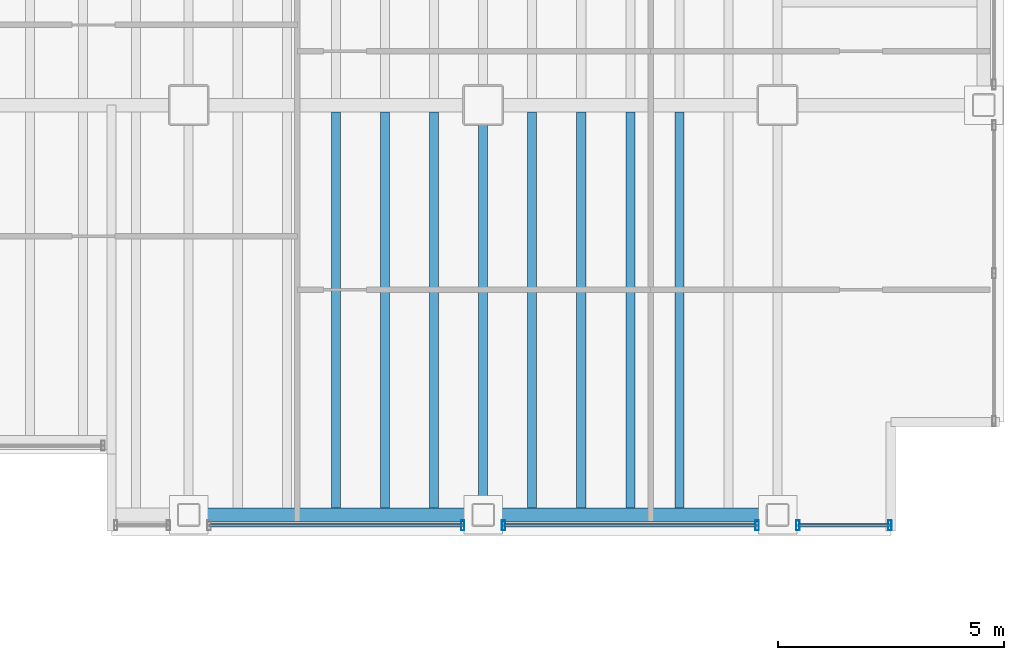
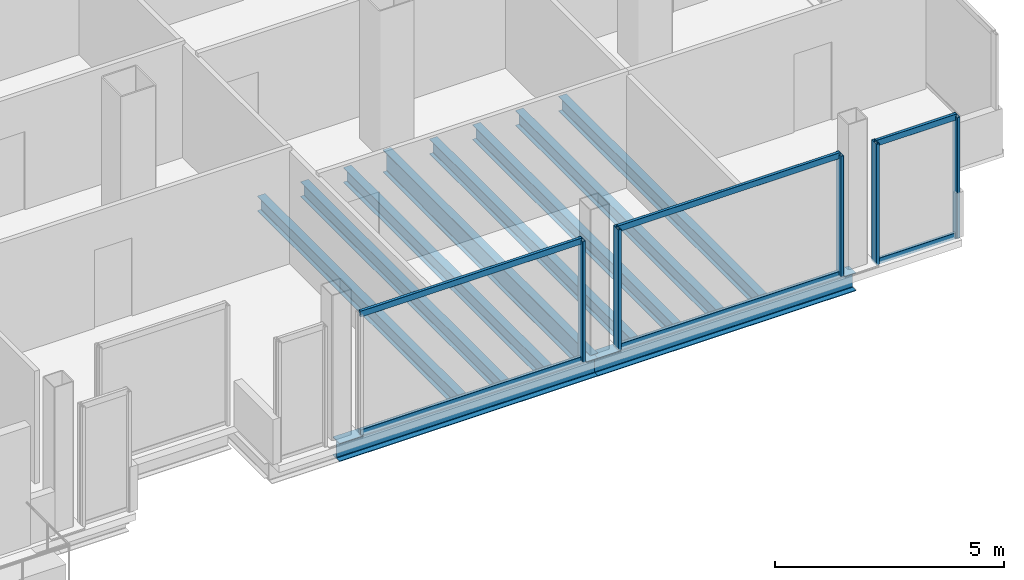
# One storey, part 13 of 22: 11 members, 10 beams, 3 elements without a shape of their own.
"""IFC4 building model written with IfcOpenShell, lengths in metres."""

from ifc_helpers import new_model, si_unit, direction, frame, origin, origin_2d, place, context, subcontext, project, spatial, hollow_rectangle, i_section, extrude, material, material_profile, profile_set, type_object, element, aggregate, save


model = new_model("IFC4")

# Units and contexts
model_context = context("Model", 3, precision=1e-05, world=origin(), true_north=direction((0.0, 1.0)))
body_context = subcontext(model_context, "Body", "Model", "MODEL_VIEW")
ifc_project = project(units=[si_unit("LENGTHUNIT", "METRE"), si_unit("AREAUNIT", "SQUARE_METRE"), si_unit("VOLUMEUNIT", "CUBIC_METRE"), si_unit("PLANEANGLEUNIT", "RADIAN"), si_unit("MASSUNIT", "GRAM", prefix="KILO")], contexts=[model_context])

# Site, building, storey
site_placement = place(None, origin())
site = spatial("IfcSite", under=ifc_project, at=site_placement, CompositionType="ELEMENT")
building_placement = place(site_placement, origin())
building = spatial("IfcBuilding", under=site, at=building_placement, Name="Noeulbin Bourse Tower", CompositionType="ELEMENT")
storey_placement = place(building_placement, frame((0.0, 0.0, 130.5)))
storey = spatial("IfcBuildingStorey", under=building, at=storey_placement, Name="L32", CompositionType="ELEMENT", Elevation=130.5)

# Beams
ifc_material_1 = material(Name="Steel S355", Category="steel")
ifc_material_profile_1 = material_profile(ifc_material_1, i_section(OverallWidth=0.199951171875, OverallDepth=0.60009765625, WebThickness=0.010986328125, FlangeThickness=0.01708984375, FilletRadius=0.02197265625, at=origin_2d()), Name="H-600x200x11x17", Category="LoadBearing")
ifc_profile_set_1 = profile_set([ifc_material_profile_1], Name="Steel S355")
beam_type_1 = type_object("IfcBeamType", Name="BM-GRD-600", PredefinedType="USERDEFINED", material=ifc_profile_set_1)
beam_placement = place(storey_placement, frame((37.5, 10.949951171875, -0.47998046875), z_axis=(0.0, 1.0, 0.0), x_axis=(-1.0, 0.0, 0.0)))
element("IfcBeam", 1, at=beam_placement, inside=storey, type_object=beam_type_1, Name="Tower Primary Girder NS L32-4.1", ObjectType="GIRDER", PredefinedType="USERDEFINED", context=body_context, shape_type="SweptSolid", body=[
    extrude(i_section(OverallWidth=0.199951171875, OverallDepth=0.60009765625, WebThickness=0.010986328125, FlangeThickness=0.01708984375, FilletRadius=0.02197265625, at=origin_2d()), origin(), (0.0, 0.0, 1.0), 9.050048828125),
])
ifc_material_profile_2 = material_profile(ifc_material_1, i_section(OverallWidth=0.199951171875, OverallDepth=0.39990234375, WebThickness=0.008056640625, FlangeThickness=0.012939453125, FilletRadius=0.01611328125, at=origin_2d()), Name="H-400x200x8x13", Category="LoadBearing")
ifc_profile_set_2 = profile_set([ifc_material_profile_2], Name="Steel S355")
beam_type_2 = type_object("IfcBeamType", Name="BM-SEC-400", PredefinedType="BEAM", material=ifc_profile_set_2)
for number, where, z_axis, x_axis, name in (
    (2, (34.25, 11.10009765625, -0.3798828125), (0.0, 1.0, 0.0), (-1.0, 0.0, 0.0), "Tower Composite Joist L32-31"),
    (3, (35.333251953125, 11.10009765625, -0.3798828125), (0.0, 1.0, 0.0), (-1.0, 0.0, 0.0), "Tower Composite Joist L32-33"),
    (4, (36.416748046875, 11.10009765625, -0.3798828125), (0.0, 1.0, 0.0), (-1.0, 0.0, 0.0), "Tower Composite Joist L32-35"),
    (5, (38.583251953125, 11.10009765625, -0.3798828125), (0.0, 1.0, 0.0), (-1.0, 0.0, 0.0), "Tower Composite Joist L32-37"),
    (6, (39.666748046875, 11.10009765625, -0.3798828125), (0.0, 1.0, 0.0), (-1.0, 0.0, 0.0), "Tower Composite Joist L32-39"),
    (7, (40.75, 11.10009765625, -0.3798828125), (0.0, 1.0, 0.0), (-1.0, 0.0, 0.0), "Tower Composite Joist L32-41"),
    (8, (41.833251953125, 11.10009765625, -0.3798828125), (0.0, 1.0, 0.0), (-1.0, 0.0, 0.0), "Tower Composite Joist L32-43"),
):
    element("IfcBeam", number, at=place(storey_placement, frame(where, z_axis=z_axis, x_axis=x_axis)), inside=storey, type_object=beam_type_2, Name=name, PredefinedType="BEAM", context=body_context, shape_type="SweptSolid", body=[
        extrude(i_section(OverallWidth=0.199951171875, OverallDepth=0.39990234375, WebThickness=0.008056640625, FlangeThickness=0.012939453125, FilletRadius=0.01611328125, at=origin_2d()), origin(), (0.0, 0.0, 1.0), 8.75),
    ])
ifc_material_profile_3 = material_profile(ifc_material_1, i_section(OverallWidth=0.300048828125, OverallDepth=0.488037109375, WebThickness=0.010986328125, FlangeThickness=0.01806640625, FilletRadius=0.02197265625, at=origin_2d()), Name="H-488x300x11x18", Category="LoadBearing")
ifc_profile_set_3 = profile_set([ifc_material_profile_3], Name="Steel S355")
beam_type_3 = type_object("IfcBeamType", Name="BM-SPN-488", PredefinedType="SPANDREL", material=ifc_profile_set_3)
for number, where, z_axis, x_axis, name in (
    (9, (31.0, 10.949951171875, -0.424072265625), (1.0, 0.0, 0.0), (0.0, 1.0, 0.0), "South Spandrel L32-3"),
    (10, (37.5, 10.949951171875, -0.424072265625), (1.0, 0.0, 0.0), (0.0, 1.0, 0.0), "South Spandrel L32-4"),
):
    element("IfcBeam", number, at=place(storey_placement, frame(where, z_axis=z_axis, x_axis=x_axis)), inside=storey, type_object=beam_type_3, Name=name, PredefinedType="SPANDREL", context=body_context, shape_type="SweptSolid", body=[
        extrude(i_section(OverallWidth=0.300048828125, OverallDepth=0.488037109375, WebThickness=0.010986328125, FlangeThickness=0.01806640625, FilletRadius=0.02197265625, at=origin_2d()), origin(), (0.0, 0.0, 1.0), 6.5),
    ])

# Curtain wall, member
ifc_material_2 = material(Name="Dark Tinted Triple Glazing", Category="glass")
curtain_wall_type = type_object("IfcCurtainWallType", Name="CW-SYS-3", PredefinedType="NOTDEFINED", material=ifc_material_2)
curtain_wall_1_placement = place(storey_placement, origin())
curtain_wall_1 = element("IfcCurtainWall", 11, at=curtain_wall_1_placement, inside=storey, type_object=curtain_wall_type, Name="Unitised Curtain Wall CW-L32-S3-S2", PredefinedType="NOTDEFINED")
ifc_material_3 = material(Name="Anodised Aluminium 6063-T6", Category="aluminium")
ifc_material_profile_4 = material_profile(ifc_material_3, hollow_rectangle(XDim=0.074951171875, YDim=0.219970703125, WallThickness=0.0048828125, InnerFilletRadius=0.00244140625, OuterFilletRadius=0.0048828125, at=origin_2d()), Name="ALU-MULL-75x220x5", Category="LoadBearing")
ifc_profile_set_4 = profile_set([ifc_material_profile_4], Name="Anodised Aluminium 6063-T6")
member_type_1 = type_object("IfcMemberType", Name="CW-SYS-3-MUL", PredefinedType="MULLION", material=ifc_profile_set_4)
member_1_placement = place(storey_placement, frame((37.050048828125, 10.719970703125, -0.02001953125), z_axis=(0.0, 0.0, 1.0), x_axis=(1.0, 0.0, 0.0)))
member_1 = element("IfcMember", 12, at=member_1_placement, type_object=member_type_1, Name="Curtain Wall Mullion CW-L32-S3-S2-M01", PredefinedType="MULLION", context=body_context, shape_type="SweptSolid", body=[
    extrude(hollow_rectangle(XDim=0.074951171875, YDim=0.219970703125, WallThickness=0.0048828125, InnerFilletRadius=0.00244140625, OuterFilletRadius=0.0048828125, at=origin_2d()), origin(), (0.0, 0.0, 1.0), 3.219970703125),
])

# Curtain wall, members
curtain_wall_2_placement = place(storey_placement, origin())
curtain_wall_2 = element("IfcCurtainWall", 13, at=curtain_wall_2_placement, inside=storey, type_object=curtain_wall_type, Name="Unitised Curtain Wall CW-L32-S3-S3", PredefinedType="NOTDEFINED")
member_2_placement = place(storey_placement, frame((37.949951171875, 10.719970703125, -0.02001953125), z_axis=(0.0, 0.0, 1.0), x_axis=(1.0, 0.0, 0.0)))
member_2 = element("IfcMember", 14, at=member_2_placement, type_object=member_type_1, Name="Curtain Wall Mullion CW-L32-S3-S3-M00", PredefinedType="MULLION", context=body_context, shape_type="SweptSolid", body=[
    extrude(hollow_rectangle(XDim=0.074951171875, YDim=0.219970703125, WallThickness=0.0048828125, InnerFilletRadius=0.00244140625, OuterFilletRadius=0.0048828125, at=origin_2d()), origin(), (0.0, 0.0, 1.0), 3.219970703125),
])
member_3_placement = place(storey_placement, frame((43.550048828125, 10.719970703125, -0.02001953125), z_axis=(0.0, 0.0, 1.0), x_axis=(1.0, 0.0, 0.0)))
member_3 = element("IfcMember", 15, at=member_3_placement, type_object=member_type_1, Name="Curtain Wall Mullion CW-L32-S3-S3-M01", PredefinedType="MULLION", context=body_context, shape_type="SweptSolid", body=[
    extrude(hollow_rectangle(XDim=0.074951171875, YDim=0.219970703125, WallThickness=0.0048828125, InnerFilletRadius=0.00244140625, OuterFilletRadius=0.0048828125, at=origin_2d()), origin(), (0.0, 0.0, 1.0), 3.219970703125),
])

curtain_wall_3_placement = place(storey_placement, origin())
curtain_wall_3 = element("IfcCurtainWall", 16, at=curtain_wall_3_placement, inside=storey, type_object=curtain_wall_type, Name="Unitised Curtain Wall CW-L32-S3-S4", PredefinedType="NOTDEFINED")
member_4_placement = place(storey_placement, frame((44.449951171875, 10.719970703125, -0.02001953125), z_axis=(0.0, 0.0, 1.0), x_axis=(1.0, 0.0, 0.0)))
member_4 = element("IfcMember", 17, at=member_4_placement, type_object=member_type_1, Name="Curtain Wall Mullion CW-L32-S3-S4-M00", PredefinedType="MULLION", context=body_context, shape_type="SweptSolid", body=[
    extrude(hollow_rectangle(XDim=0.074951171875, YDim=0.219970703125, WallThickness=0.0048828125, InnerFilletRadius=0.00244140625, OuterFilletRadius=0.0048828125, at=origin_2d()), origin(), (0.0, 0.0, 1.0), 3.219970703125),
])
member_5_placement = place(storey_placement, frame((46.47998046875, 10.719970703125, -0.02001953125), z_axis=(0.0, 0.0, 1.0), x_axis=(1.0, 0.0, 0.0)))
member_5 = element("IfcMember", 18, at=member_5_placement, type_object=member_type_1, Name="Curtain Wall Mullion CW-L32-S3-S4-M01", PredefinedType="MULLION", context=body_context, shape_type="SweptSolid", body=[
    extrude(hollow_rectangle(XDim=0.074951171875, YDim=0.219970703125, WallThickness=0.0048828125, InnerFilletRadius=0.00244140625, OuterFilletRadius=0.0048828125, at=origin_2d()), origin(), (0.0, 0.0, 1.0), 3.219970703125),
])

# Member
ifc_material_profile_5 = material_profile(ifc_material_3, hollow_rectangle(XDim=0.074951171875, YDim=0.159912109375, WallThickness=0.0048828125, InnerFilletRadius=0.00244140625, OuterFilletRadius=0.0048828125, at=origin_2d()), Name="ALU-TRAN-75x160x5", Category="LoadBearing")
ifc_profile_set_5 = profile_set([ifc_material_profile_5], Name="Anodised Aluminium 6063-T6")
member_type_2 = type_object("IfcMemberType", Name="CW-SYS-3-TRN", PredefinedType="USERDEFINED", material=ifc_profile_set_5)
member_6_placement = place(storey_placement, frame((31.4599609375, 10.719970703125, 0.010009765625), z_axis=(1.0, 0.0, 0.0), x_axis=(0.0, 1.0, 0.0)))
member_6 = element("IfcMember", 19, at=member_6_placement, type_object=member_type_2, Name="Curtain Wall Transom CW-L32-S3-S2-T00", ObjectType="TRANSOM", PredefinedType="USERDEFINED", context=body_context, shape_type="SweptSolid", body=[
    extrude(hollow_rectangle(XDim=0.074951171875, YDim=0.159912109375, WallThickness=0.0048828125, InnerFilletRadius=0.00244140625, OuterFilletRadius=0.0048828125, at=origin_2d()), origin(), (0.0, 0.0, 1.0), 5.580078125),
])

member_7_placement = place(storey_placement, frame((31.4599609375, 10.719970703125, 3.169921875), z_axis=(1.0, 0.0, 0.0), x_axis=(0.0, 1.0, 0.0)))
member_7 = element("IfcMember", 20, at=member_7_placement, type_object=member_type_2, Name="Curtain Wall Transom CW-L32-S3-S2-T01", ObjectType="TRANSOM", PredefinedType="USERDEFINED", context=body_context, shape_type="SweptSolid", body=[
    extrude(hollow_rectangle(XDim=0.074951171875, YDim=0.159912109375, WallThickness=0.0048828125, InnerFilletRadius=0.00244140625, OuterFilletRadius=0.0048828125, at=origin_2d()), origin(), (0.0, 0.0, 1.0), 5.580078125),
])

aggregate(curtain_wall_1, [member_1, member_6, member_7])

member_8_placement = place(storey_placement, frame((37.9599609375, 10.719970703125, 0.010009765625), z_axis=(1.0, 0.0, 0.0), x_axis=(0.0, 1.0, 0.0)))
member_8 = element("IfcMember", 21, at=member_8_placement, type_object=member_type_2, Name="Curtain Wall Transom CW-L32-S3-S3-T00", ObjectType="TRANSOM", PredefinedType="USERDEFINED", context=body_context, shape_type="SweptSolid", body=[
    extrude(hollow_rectangle(XDim=0.074951171875, YDim=0.159912109375, WallThickness=0.0048828125, InnerFilletRadius=0.00244140625, OuterFilletRadius=0.0048828125, at=origin_2d()), origin(), (0.0, 0.0, 1.0), 5.580078125),
])

member_9_placement = place(storey_placement, frame((37.9599609375, 10.719970703125, 3.169921875), z_axis=(1.0, 0.0, 0.0), x_axis=(0.0, 1.0, 0.0)))
member_9 = element("IfcMember", 22, at=member_9_placement, type_object=member_type_2, Name="Curtain Wall Transom CW-L32-S3-S3-T01", ObjectType="TRANSOM", PredefinedType="USERDEFINED", context=body_context, shape_type="SweptSolid", body=[
    extrude(hollow_rectangle(XDim=0.074951171875, YDim=0.159912109375, WallThickness=0.0048828125, InnerFilletRadius=0.00244140625, OuterFilletRadius=0.0048828125, at=origin_2d()), origin(), (0.0, 0.0, 1.0), 5.580078125),
])

aggregate(curtain_wall_2, [member_2, member_3, member_8, member_9])

member_10_placement = place(storey_placement, frame((44.4599609375, 10.719970703125, 0.010009765625), z_axis=(1.0, 0.0, 0.0), x_axis=(0.0, 1.0, 0.0)))
member_10 = element("IfcMember", 23, at=member_10_placement, type_object=member_type_2, Name="Curtain Wall Transom CW-L32-S3-S4-T00", ObjectType="TRANSOM", PredefinedType="USERDEFINED", context=body_context, shape_type="SweptSolid", body=[
    extrude(hollow_rectangle(XDim=0.074951171875, YDim=0.159912109375, WallThickness=0.0048828125, InnerFilletRadius=0.00244140625, OuterFilletRadius=0.0048828125, at=origin_2d()), origin(), (0.0, 0.0, 1.0), 2.010009765625),
])

member_11_placement = place(storey_placement, frame((44.4599609375, 10.719970703125, 3.169921875), z_axis=(1.0, 0.0, 0.0), x_axis=(0.0, 1.0, 0.0)))
member_11 = element("IfcMember", 24, at=member_11_placement, type_object=member_type_2, Name="Curtain Wall Transom CW-L32-S3-S4-T01", ObjectType="TRANSOM", PredefinedType="USERDEFINED", context=body_context, shape_type="SweptSolid", body=[
    extrude(hollow_rectangle(XDim=0.074951171875, YDim=0.159912109375, WallThickness=0.0048828125, InnerFilletRadius=0.00244140625, OuterFilletRadius=0.0048828125, at=origin_2d()), origin(), (0.0, 0.0, 1.0), 2.010009765625),
])

aggregate(curtain_wall_3, [member_4, member_5, member_10, member_11])

save(model, "model.ifc")
